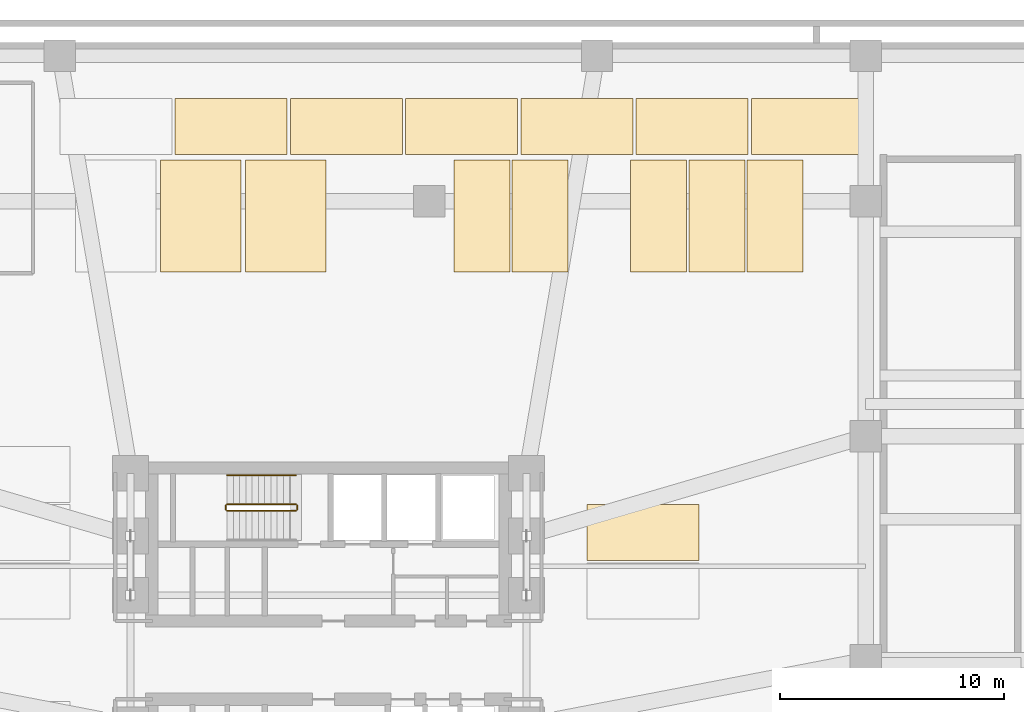
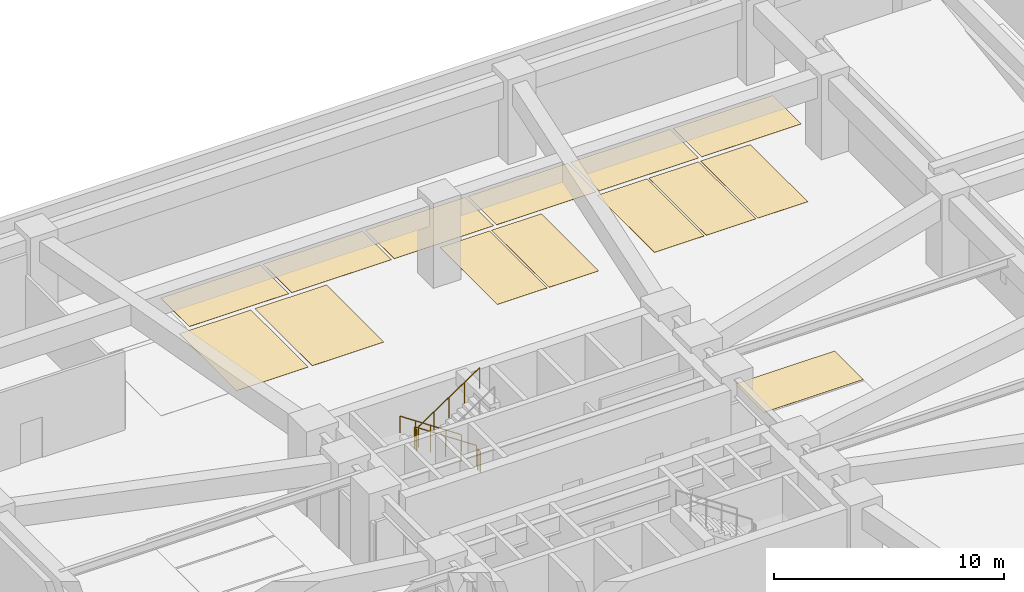
# One storey, part 12 of 13: 14 coverings, 5 railings.
"""IFC4 building model written with IfcOpenShell, lengths in metres."""

from ifc_helpers import new_model, si_unit, direction, frame, origin, origin_2d, place, context, subcontext, project, spatial, polyline, circle, outline, extrude, material, layer, layer_set, type_object, element, save


model = new_model("IFC4")

# Units and contexts
model_context = context("Model", 3, precision=1e-05, world=origin(), true_north=direction((0.0, 1.0)))
body_context = subcontext(model_context, "Body", "Model", "MODEL_VIEW")
ifc_project = project(units=[si_unit("LENGTHUNIT", "METRE"), si_unit("AREAUNIT", "SQUARE_METRE"), si_unit("VOLUMEUNIT", "CUBIC_METRE"), si_unit("PLANEANGLEUNIT", "RADIAN"), si_unit("MASSUNIT", "GRAM", prefix="KILO")], contexts=[model_context])

# Site, building, storey
site_placement = place(None, origin())
site = spatial("IfcSite", under=ifc_project, at=site_placement, CompositionType="ELEMENT")
building_placement = place(site_placement, origin())
building = spatial("IfcBuilding", under=site, at=building_placement, Name="Solmarez Civic Tower", CompositionType="ELEMENT")
storey_placement = place(building_placement, frame((0.0, 0.0, -4.5)))
storey = spatial("IfcBuildingStorey", under=building, at=storey_placement, Name="B1", CompositionType="ELEMENT", Elevation=-4.5)

# Coverings
ifc_material_1 = material(Name="Epoxy Traffic Deck Coating")
ifc_layer = layer(ifc_material_1, 0.010009765625)
ifc_layer_set = layer_set([ifc_layer], Name="Epoxy Traffic Deck Coating")
covering_type = type_object("IfcCoveringType", Name="COV-PARK-BAY", PredefinedType="FLOORING", material=ifc_layer_set)
covering_1_placement = place(storey_placement, origin())
element("IfcCovering", 1, at=covering_1_placement, inside=storey, type_object=covering_type, Name="B1 Accessible Parking Bay Marking A05", PredefinedType="FLOORING", context=body_context, shape_type="SweptSolid", body=[
    extrude(outline(polyline([(-7.5, 17.35009765625), (-3.89990234375, 17.35009765625), (-3.89990234375, 22.35009765625), (-7.5, 22.35009765625), (-7.5, 17.35009765625)])), origin(), (0.0, 0.0, 1.0), 0.010009765625),
])
covering_2_placement = place(storey_placement, origin())
element("IfcCovering", 2, at=covering_2_placement, inside=storey, type_object=covering_type, Name="B1 Accessible Parking Bay Marking A06", PredefinedType="FLOORING", context=body_context, shape_type="SweptSolid", body=[
    extrude(outline(polyline([(-3.699951171875, 17.35009765625), (-0.10009765625, 17.35009765625), (-0.10009765625, 22.35009765625), (-3.699951171875, 22.35009765625), (-3.699951171875, 17.35009765625)])), origin(), (0.0, 0.0, 1.0), 0.010009765625),
])
covering_3_placement = place(storey_placement, origin())
element("IfcCovering", 3, at=covering_3_placement, inside=storey, type_object=covering_type, Name="B1 Parking Bay Marking 058", PredefinedType="FLOORING", context=body_context, shape_type="SweptSolid", body=[
    extrude(outline(polyline([(5.60009765625, 17.35009765625), (8.10009765625, 17.35009765625), (8.10009765625, 22.35009765625), (5.60009765625, 22.35009765625), (5.60009765625, 17.35009765625)])), origin(), (0.0, 0.0, 1.0), 0.010009765625),
])
covering_4_placement = place(storey_placement, origin())
element("IfcCovering", 4, at=covering_4_placement, inside=storey, type_object=covering_type, Name="B1 Parking Bay Marking 059", PredefinedType="FLOORING", context=body_context, shape_type="SweptSolid", body=[
    extrude(outline(polyline([(8.199951171875, 17.35009765625), (10.699951171875, 17.35009765625), (10.699951171875, 22.35009765625), (8.199951171875, 22.35009765625), (8.199951171875, 17.35009765625)])), origin(), (0.0, 0.0, 1.0), 0.010009765625),
])
covering_5_placement = place(storey_placement, origin())
element("IfcCovering", 5, at=covering_5_placement, inside=storey, type_object=covering_type, Name="B1 Parking Bay Marking 060", PredefinedType="FLOORING", context=body_context, shape_type="SweptSolid", body=[
    extrude(outline(polyline([(13.5, 17.35009765625), (16.0, 17.35009765625), (16.0, 22.35009765625), (13.5, 22.35009765625), (13.5, 17.35009765625)])), origin(), (0.0, 0.0, 1.0), 0.010009765625),
])
covering_6_placement = place(storey_placement, origin())
element("IfcCovering", 6, at=covering_6_placement, inside=storey, type_object=covering_type, Name="B1 Parking Bay Marking 061", PredefinedType="FLOORING", context=body_context, shape_type="SweptSolid", body=[
    extrude(outline(polyline([(16.10009765625, 17.35009765625), (18.60009765625, 17.35009765625), (18.60009765625, 22.35009765625), (16.10009765625, 22.35009765625), (16.10009765625, 17.35009765625)])), origin(), (0.0, 0.0, 1.0), 0.010009765625),
])
covering_7_placement = place(storey_placement, origin())
element("IfcCovering", 7, at=covering_7_placement, inside=storey, type_object=covering_type, Name="B1 Parking Bay Marking 062", PredefinedType="FLOORING", context=body_context, shape_type="SweptSolid", body=[
    extrude(outline(polyline([(18.699951171875, 17.35009765625), (21.199951171875, 17.35009765625), (21.199951171875, 22.35009765625), (18.699951171875, 22.35009765625), (18.699951171875, 17.35009765625)])), origin(), (0.0, 0.0, 1.0), 0.010009765625),
])
covering_8_placement = place(storey_placement, origin())
element("IfcCovering", 8, at=covering_8_placement, inside=storey, type_object=covering_type, Name="B1 Parking Bay Marking 064", PredefinedType="FLOORING", context=body_context, shape_type="SweptSolid", body=[
    extrude(outline(polyline([(-6.85009765625, 22.60009765625), (-1.85009765625, 22.60009765625), (-1.85009765625, 25.10009765625), (-6.85009765625, 25.10009765625), (-6.85009765625, 22.60009765625)])), origin(), (0.0, 0.0, 1.0), 0.010009765625),
])
covering_9_placement = place(storey_placement, origin())
element("IfcCovering", 9, at=covering_9_placement, inside=storey, type_object=covering_type, Name="B1 Parking Bay Marking 065", PredefinedType="FLOORING", context=body_context, shape_type="SweptSolid", body=[
    extrude(outline(polyline([(-1.699951171875, 22.60009765625), (3.300048828125, 22.60009765625), (3.300048828125, 25.10009765625), (-1.699951171875, 25.10009765625), (-1.699951171875, 22.60009765625)])), origin(), (0.0, 0.0, 1.0), 0.010009765625),
])
covering_10_placement = place(storey_placement, origin())
element("IfcCovering", 10, at=covering_10_placement, inside=storey, type_object=covering_type, Name="B1 Parking Bay Marking 066", PredefinedType="FLOORING", context=body_context, shape_type="SweptSolid", body=[
    extrude(outline(polyline([(3.449951171875, 22.60009765625), (8.449951171875, 22.60009765625), (8.449951171875, 25.10009765625), (3.449951171875, 25.10009765625), (3.449951171875, 22.60009765625)])), origin(), (0.0, 0.0, 1.0), 0.010009765625),
])
covering_11_placement = place(storey_placement, origin())
element("IfcCovering", 11, at=covering_11_placement, inside=storey, type_object=covering_type, Name="B1 Parking Bay Marking 067", PredefinedType="FLOORING", context=body_context, shape_type="SweptSolid", body=[
    extrude(outline(polyline([(8.60009765625, 22.60009765625), (13.60009765625, 22.60009765625), (13.60009765625, 25.10009765625), (8.60009765625, 25.10009765625), (8.60009765625, 22.60009765625)])), origin(), (0.0, 0.0, 1.0), 0.010009765625),
])
covering_12_placement = place(storey_placement, origin())
element("IfcCovering", 12, at=covering_12_placement, inside=storey, type_object=covering_type, Name="B1 Parking Bay Marking 068", PredefinedType="FLOORING", context=body_context, shape_type="SweptSolid", body=[
    extrude(outline(polyline([(13.75, 22.60009765625), (18.75, 22.60009765625), (18.75, 25.10009765625), (13.75, 25.10009765625), (13.75, 22.60009765625)])), origin(), (0.0, 0.0, 1.0), 0.010009765625),
])
covering_13_placement = place(storey_placement, origin())
element("IfcCovering", 13, at=covering_13_placement, inside=storey, type_object=covering_type, Name="B1 Parking Bay Marking 069", PredefinedType="FLOORING", context=body_context, shape_type="SweptSolid", body=[
    extrude(outline(polyline([(18.89990234375, 22.60009765625), (23.89990234375, 22.60009765625), (23.89990234375, 25.10009765625), (18.89990234375, 25.10009765625), (18.89990234375, 22.60009765625)])), origin(), (0.0, 0.0, 1.0), 0.010009765625),
])
covering_14_placement = place(storey_placement, origin())
element("IfcCovering", 14, at=covering_14_placement, inside=storey, type_object=covering_type, Name="B1 Parking Bay Marking 096", PredefinedType="FLOORING", context=body_context, shape_type="SweptSolid", body=[
    extrude(outline(polyline([(11.550048828125, 4.449951171875), (16.550048828125, 4.449951171875), (16.550048828125, 6.949951171875), (11.550048828125, 6.949951171875), (11.550048828125, 4.449951171875)])), origin(), (0.0, 0.0, 1.0), 0.010009765625),
])

# Railings
ifc_material_2 = material(Name="Painted Steel Stairwell Safety Guard", Category="steel")
railing_type_1 = type_object("IfcRailingType", Name="GUARD-STAIR-1120", PredefinedType="BALUSTRADE", material=ifc_material_2)
railing_1_placement = place(storey_placement, frame((-1.449951171875, 6.969970703125, 0.1875)))
element("IfcRailing", 15, at=railing_1_placement, inside=storey, type_object=railing_type_1, Name="B1 ST-1 stair guard 1", PredefinedType="BALUSTRADE", context=body_context, shape_type="SweptSolid", body=[
    extrude(circle(Radius=0.02392578125, at=origin_2d()), frame((0.0, 0.0, 1.09619140625), z_axis=(-0.830913701846, 0.0, 0.55640131208), x_axis=(0.0, -1.0, 0.0)), (0.0, 0.0, 1.0), 3.706787109375),
    extrude(circle(Radius=0.02099609375, at=origin_2d()), origin(), (0.0, 0.0, 1.0), 1.072021484375),
    extrude(circle(Radius=0.02099609375, at=origin_2d()), frame((-0.77001953125, 0.0, 0.515625)), (0.0, 0.0, 1.0), 1.072021484375),
    extrude(circle(Radius=0.02099609375, at=origin_2d()), frame((-1.5400390625, 0.0, 1.03125)), (0.0, 0.0, 1.0), 1.072021484375),
    extrude(circle(Radius=0.02099609375, at=origin_2d()), frame((-2.31005859375, 0.0, 1.546875)), (0.0, 0.0, 1.0), 1.072021484375),
    extrude(circle(Radius=0.02099609375, at=origin_2d()), frame((-3.080078125, 0.0, 2.0625)), (0.0, 0.0, 1.0), 1.072021484375),
])
railing_2_placement = place(storey_placement, frame((-4.580078125, 6.919921875, 2.25)))
element("IfcRailing", 16, at=railing_2_placement, inside=storey, type_object=railing_type_1, Name="B1 ST-1 stair guard 2", PredefinedType="BALUSTRADE", context=body_context, shape_type="SweptSolid", body=[
    extrude(circle(Radius=0.02392578125, at=origin_2d()), frame((0.0, 0.0, 1.09619140625), z_axis=(0.0, -1.0, 0.0), x_axis=(1.0, 0.0, 0.0)), (0.0, 0.0, 1.0), 0.199951171875),
    extrude(circle(Radius=0.02099609375, at=origin_2d()), origin(), (0.0, 0.0, 1.0), 1.072021484375),
    extrude(circle(Radius=0.02099609375, at=origin_2d()), frame((0.0, -0.199951171875, 0.0)), (0.0, 0.0, 1.0), 1.072021484375),
])
railing_3_placement = place(storey_placement, frame((-4.530029296875, 6.669921875, 2.4375)))
element("IfcRailing", 17, at=railing_3_placement, inside=storey, type_object=railing_type_1, Name="B1 ST-1 stair guard 3", PredefinedType="BALUSTRADE", context=body_context, shape_type="SweptSolid", body=[
    extrude(circle(Radius=0.02392578125, at=origin_2d()), frame((0.0, 0.0, 1.09619140625), z_axis=(0.830913701846, 0.0, 0.55640131208), x_axis=(0.0, 1.0, 0.0)), (0.0, 0.0, 1.0), 3.706787109375),
    extrude(circle(Radius=0.02099609375, at=origin_2d()), origin(), (0.0, 0.0, 1.0), 1.072021484375),
    extrude(circle(Radius=0.02099609375, at=origin_2d()), frame((0.77001953125, 0.0, 0.515625)), (0.0, 0.0, 1.0), 1.072021484375),
    extrude(circle(Radius=0.02099609375, at=origin_2d()), frame((1.5400390625, 0.0, 1.03125)), (0.0, 0.0, 1.0), 1.072021484375),
    extrude(circle(Radius=0.02099609375, at=origin_2d()), frame((2.31005859375, 0.0, 1.546875)), (0.0, 0.0, 1.0), 1.072021484375),
    extrude(circle(Radius=0.02099609375, at=origin_2d()), frame((3.080078125, 0.0, 2.0625)), (0.0, 0.0, 1.0), 1.072021484375),
])
railing_4_placement = place(storey_placement, frame((-1.39990234375, 6.919921875, 0.0)))
element("IfcRailing", 18, at=railing_4_placement, inside=storey, type_object=railing_type_1, Name="B1 ST-1 stair guard 4", PredefinedType="BALUSTRADE", context=body_context, shape_type="SweptSolid", body=[
    extrude(circle(Radius=0.02392578125, at=origin_2d()), frame((0.0, 0.0, 1.09619140625), z_axis=(0.0, -1.0, 0.0), x_axis=(1.0, 0.0, 0.0)), (0.0, 0.0, 1.0), 0.199951171875),
    extrude(circle(Radius=0.02099609375, at=origin_2d()), origin(), (0.0, 0.0, 1.0), 1.072021484375),
    extrude(circle(Radius=0.02099609375, at=origin_2d()), frame((0.0, -0.199951171875, 0.0)), (0.0, 0.0, 1.0), 1.072021484375),
])
ifc_material_3 = material(Name="Brushed Stainless Steel Tube Handrail", Category="steel")
railing_type_2 = type_object("IfcRailingType", Name="HANDRAIL-STAIR-900", PredefinedType="HANDRAIL", material=ifc_material_3)
railing_5_placement = place(storey_placement, frame((-1.449951171875, 8.27001953125, 0.1875)))
element("IfcRailing", 19, at=railing_5_placement, inside=storey, type_object=railing_type_2, Name="B1 ST-1 stair handrail 1", PredefinedType="HANDRAIL", context=body_context, shape_type="SweptSolid", body=[
    extrude(circle(Radius=0.02392578125, at=origin_2d()), frame((0.0, 0.0, 0.8759765625), z_axis=(-0.830913701846, 0.0, 0.55640131208), x_axis=(0.0, -1.0, 0.0)), (0.0, 0.0, 1.0), 3.706787109375),
    extrude(circle(Radius=0.02099609375, at=origin_2d()), origin(), (0.0, 0.0, 1.0), 0.851806640625),
    extrude(circle(Radius=0.02099609375, at=origin_2d()), frame((-0.77001953125, 0.0, 0.515625)), (0.0, 0.0, 1.0), 0.851806640625),
    extrude(circle(Radius=0.02099609375, at=origin_2d()), frame((-1.5400390625, 0.0, 1.03125)), (0.0, 0.0, 1.0), 0.851806640625),
    extrude(circle(Radius=0.02099609375, at=origin_2d()), frame((-2.31005859375, 0.0, 1.546875)), (0.0, 0.0, 1.0), 0.851806640625),
    extrude(circle(Radius=0.02099609375, at=origin_2d()), frame((-3.080078125, 0.0, 2.0625)), (0.0, 0.0, 1.0), 0.851806640625),
])

save(model, "model.ifc")
